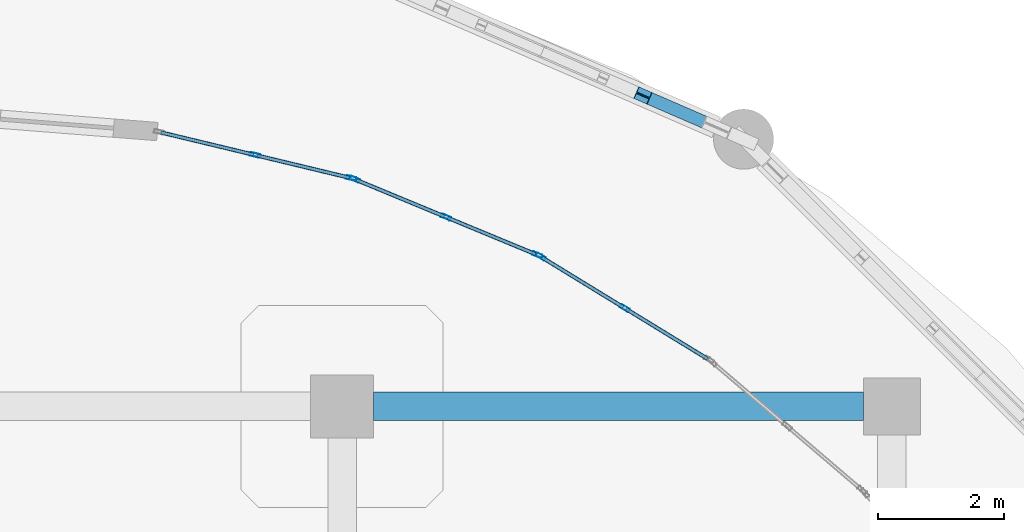
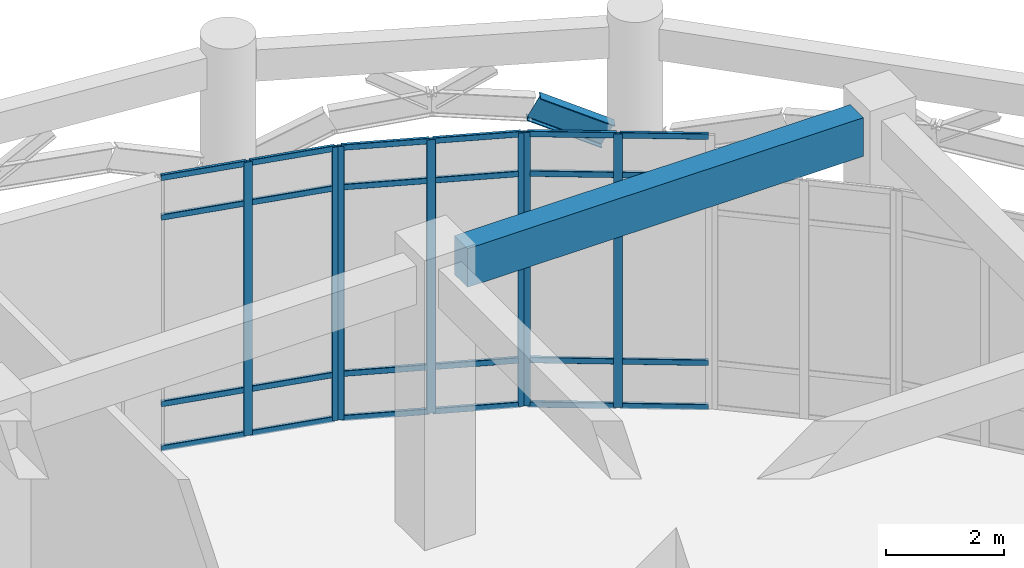
# One storey, part 47 of 82: 31 members, 2 beams, 3 elements without a shape of their own.
"""IFC4 building model written with IfcOpenShell, lengths in metres."""

from ifc_helpers import new_model, si_unit, derived_unit, direction, frame, origin, origin_2d, place, context, subcontext, project, spatial, rectangle, hollow_rectangle, i_section, extrude, material, layer, layer_set, material_profile, profile_set, type_object, element, aggregate, save


model = new_model("IFC4")

# Units and contexts
model_context = context("Model", 3, precision=1e-05, world=origin(), true_north=direction((0.0, 1.0)))
body_context = subcontext(model_context, "Body", "Model", "MODEL_VIEW")
ifc_project = project(units=[si_unit("LENGTHUNIT", "METRE"), si_unit("AREAUNIT", "SQUARE_METRE"), si_unit("VOLUMEUNIT", "CUBIC_METRE"), si_unit("PLANEANGLEUNIT", "RADIAN"), si_unit("MASSUNIT", "GRAM", prefix="KILO"), derived_unit("THERMALTRANSMITTANCEUNIT", [(si_unit("MASSUNIT", "GRAM", prefix="KILO"), 1), (si_unit("TIMEUNIT", "SECOND"), -3), (si_unit("THERMODYNAMICTEMPERATUREUNIT", "KELVIN"), -1)])], contexts=[model_context])

# Site, building, storey
site_placement = place(None, origin())
site = spatial("IfcSite", under=ifc_project, at=site_placement, CompositionType="ELEMENT")
building_placement = place(site_placement, origin())
building = spatial("IfcBuilding", under=site, at=building_placement, Name="Qinzheling Arcade Emporium", CompositionType="ELEMENT")
storey_placement = place(building_placement, origin())
storey = spatial("IfcBuildingStorey", under=building, at=storey_placement, Name="L01", CompositionType="ELEMENT", Elevation=0.0)

# Beam
ifc_material_1 = material(Name="Weathering steel Q355NH", Category="steel")
ifc_material_profile_1 = material_profile(ifc_material_1, i_section(OverallWidth=0.199951171875, OverallDepth=0.5, WebThickness=0.010009765625, FlangeThickness=0.01611328125, FilletRadius=0.01806640625, at=origin_2d()), Name="HN 500x200x10x16", Category="steel")
ifc_profile_set_1 = profile_set([ifc_material_profile_1], Name="Weathering steel Q355NH")
beam_type_1 = type_object("IfcBeamType", Name="Arcade End Arch Rib HN500 Q355NH", PredefinedType="BEAM", material=ifc_profile_set_1)
beam_1_placement = place(storey_placement, frame((136.426025390625, 111.215087890625, 3.402099609375), z_axis=(-0.812072798401, 0.352306289424, 0.465207532752), x_axis=(-0.397995520684, -0.917387358489, 0.0)))
element("IfcBeam", 1, at=beam_1_placement, inside=storey, type_object=beam_type_1, Name="Curved Arcade Entrance Arch ARC-L01-CV6-B04-C02", PredefinedType="BEAM", context=body_context, shape_type="SweptSolid", body=[
    extrude(i_section(OverallWidth=0.199951171875, OverallDepth=0.5, WebThickness=0.010009765625, FlangeThickness=0.01611328125, FilletRadius=0.01806640625, at=origin_2d()), origin(), (0.0, 0.0, 1.0), 1.435791015625),
])

# Curtain wall, members
ifc_material_2 = material(Name="Anodised aluminium and solar-control double glazing", Category="aluminium")
ifc_layer = layer(ifc_material_2, 0.159912109375, Name="Anodised aluminium and solar-control double glazing", Category="aluminium")
ifc_layer_set = layer_set([ifc_layer], Name="Anodised aluminium and solar-control double glazing")
curtain_wall_type = type_object("IfcCurtainWallType", Name="Curved Ribbon Sales Curtain Wall", PredefinedType="NOTDEFINED", material=ifc_layer_set)
curtain_wall_1_placement = place(storey_placement, origin())
curtain_wall_1 = element("IfcCurtainWall", 2, at=curtain_wall_1_placement, inside=storey, type_object=curtain_wall_type, Name="Curtain Wall CW-L01-035", PredefinedType="NOTDEFINED")
ifc_material_3 = material(Name="Anodised aluminium 6063-T6", Category="aluminium")
ifc_material_profile_2 = material_profile(ifc_material_3, hollow_rectangle(XDim=0.06005859375, YDim=0.159912109375, WallThickness=0.00390625, InnerFilletRadius=0.00390625, OuterFilletRadius=0.008056640625, at=origin_2d()), Name="RHS 160x60x4", Category="aluminium")
ifc_profile_set_2 = profile_set([ifc_material_profile_2], Name="Anodised aluminium 6063-T6")
member_type_1 = type_object("IfcMemberType", Name="Curtain Wall Mullion RHS160x60", PredefinedType="MULLION", material=ifc_profile_set_2)
member_1_placement = place(storey_placement, frame((129.12451171875, 110.778076171875, 0.0), z_axis=(0.0, 0.0, 1.0), x_axis=(0.233586687032, 0.972335980843, 0.0)))
member_1 = element("IfcMember", 3, at=member_1_placement, type_object=member_type_1, Name="CW02 mullion 2", PredefinedType="MULLION", context=body_context, shape_type="SweptSolid", body=[
    extrude(hollow_rectangle(XDim=0.06005859375, YDim=0.159912109375, WallThickness=0.00390625, InnerFilletRadius=0.00390625, OuterFilletRadius=0.008056640625, at=origin_2d()), origin(), (0.0, 0.0, 1.0), 5.659912109375),
])
member_2_placement = place(storey_placement, frame((130.643798828125, 110.4130859375, 0.0), z_axis=(0.0, 0.0, 1.0), x_axis=(0.233586687032, 0.972335980843, 0.0)))
member_2 = element("IfcMember", 4, at=member_2_placement, type_object=member_type_1, Name="CW02 mullion 3", PredefinedType="MULLION", context=body_context, shape_type="SweptSolid", body=[
    extrude(hollow_rectangle(XDim=0.06005859375, YDim=0.159912109375, WallThickness=0.00390625, InnerFilletRadius=0.00390625, OuterFilletRadius=0.008056640625, at=origin_2d()), origin(), (0.0, 0.0, 1.0), 5.659912109375),
])

curtain_wall_2_placement = place(storey_placement, origin())
curtain_wall_2 = element("IfcCurtainWall", 5, at=curtain_wall_2_placement, inside=storey, type_object=curtain_wall_type, Name="Curtain Wall CW-L01-036", PredefinedType="NOTDEFINED")
member_3_placement = place(storey_placement, frame((130.70068359375, 110.39453125, 0.0), z_axis=(0.0, 0.0, 1.0), x_axis=(0.382675256043, 0.923882919212, 0.0)))
member_3 = element("IfcMember", 6, at=member_3_placement, type_object=member_type_1, Name="CW02 mullion 1", PredefinedType="MULLION", context=body_context, shape_type="SweptSolid", body=[
    extrude(hollow_rectangle(XDim=0.06005859375, YDim=0.159912109375, WallThickness=0.00390625, InnerFilletRadius=0.00390625, OuterFilletRadius=0.008056640625, at=origin_2d()), origin(), (0.0, 0.0, 1.0), 5.659912109375),
])
member_4_placement = place(storey_placement, frame((132.14453125, 109.79638671875, 0.0), z_axis=(0.0, 0.0, 1.0), x_axis=(0.382675256043, 0.923882919212, 0.0)))
member_4 = element("IfcMember", 7, at=member_4_placement, type_object=member_type_1, Name="CW02 mullion 2", PredefinedType="MULLION", context=body_context, shape_type="SweptSolid", body=[
    extrude(hollow_rectangle(XDim=0.06005859375, YDim=0.159912109375, WallThickness=0.00390625, InnerFilletRadius=0.00390625, OuterFilletRadius=0.008056640625, at=origin_2d()), origin(), (0.0, 0.0, 1.0), 5.659912109375),
])
member_5_placement = place(storey_placement, frame((133.58837890625, 109.198486328125, 0.0), z_axis=(0.0, 0.0, 1.0), x_axis=(0.382675256043, 0.923882919212, 0.0)))
member_5 = element("IfcMember", 8, at=member_5_placement, type_object=member_type_1, Name="CW02 mullion 3", PredefinedType="MULLION", context=body_context, shape_type="SweptSolid", body=[
    extrude(hollow_rectangle(XDim=0.06005859375, YDim=0.159912109375, WallThickness=0.00390625, InnerFilletRadius=0.00390625, OuterFilletRadius=0.008056640625, at=origin_2d()), origin(), (0.0, 0.0, 1.0), 5.659912109375),
])

curtain_wall_3_placement = place(storey_placement, origin())
curtain_wall_3 = element("IfcCurtainWall", 9, at=curtain_wall_3_placement, inside=storey, type_object=curtain_wall_type, Name="Curtain Wall CW-L01-037", PredefinedType="NOTDEFINED")
member_6_placement = place(storey_placement, frame((133.6416015625, 109.17138671875, 0.0), z_axis=(0.0, 0.0, 1.0), x_axis=(0.522414811302, 0.852691482854, 0.0)))
member_6 = element("IfcMember", 10, at=member_6_placement, type_object=member_type_1, Name="CW02 mullion 1", PredefinedType="MULLION", context=body_context, shape_type="SweptSolid", body=[
    extrude(hollow_rectangle(XDim=0.06005859375, YDim=0.159912109375, WallThickness=0.00390625, InnerFilletRadius=0.00390625, OuterFilletRadius=0.008056640625, at=origin_2d()), origin(), (0.0, 0.0, 1.0), 5.659912109375),
])
member_7_placement = place(storey_placement, frame((134.97412109375, 108.35498046875, 0.0), z_axis=(0.0, 0.0, 1.0), x_axis=(0.522414811302, 0.852691482854, 0.0)))
member_7 = element("IfcMember", 11, at=member_7_placement, type_object=member_type_1, Name="CW02 mullion 2", PredefinedType="MULLION", context=body_context, shape_type="SweptSolid", body=[
    extrude(hollow_rectangle(XDim=0.06005859375, YDim=0.159912109375, WallThickness=0.00390625, InnerFilletRadius=0.00390625, OuterFilletRadius=0.008056640625, at=origin_2d()), origin(), (0.0, 0.0, 1.0), 5.659912109375),
])

# Member
ifc_material_profile_3 = material_profile(ifc_material_3, hollow_rectangle(XDim=0.06005859375, YDim=0.1201171875, WallThickness=0.00390625, InnerFilletRadius=0.00390625, OuterFilletRadius=0.008056640625, at=origin_2d()), Name="RHS 120x60x4", Category="aluminium")
ifc_profile_set_3 = profile_set([ifc_material_profile_3], Name="Anodised aluminium 6063-T6")
member_type_2 = type_object("IfcMemberType", Name="Curtain Wall Transom RHS120x60", PredefinedType="USERDEFINED", material=ifc_profile_set_3)
member_8_placement = place(storey_placement, frame((127.63427734375, 111.135986328125, 0.030029296875), z_axis=(0.972319414772, -0.233655634766, 0.0), x_axis=(0.233655634766, 0.972319414772, 0.0)))
member_8 = element("IfcMember", 12, at=member_8_placement, type_object=member_type_2, Name="CW02 transom 1.1", ObjectType="TRANSOM", PredefinedType="USERDEFINED", context=body_context, shape_type="SweptSolid", body=[
    extrude(hollow_rectangle(XDim=0.06005859375, YDim=0.1201171875, WallThickness=0.00390625, InnerFilletRadius=0.00390625, OuterFilletRadius=0.008056640625, at=origin_2d()), origin(), (0.0, 0.0, 1.0), 1.50244140625),
])

member_9_placement = place(storey_placement, frame((127.63427734375, 111.135986328125, 0.949951171875), z_axis=(0.972319414772, -0.233655634766, 0.0), x_axis=(0.233655634766, 0.972319414772, 0.0)))
member_9 = element("IfcMember", 13, at=member_9_placement, type_object=member_type_2, Name="CW02 transom 1.2", ObjectType="TRANSOM", PredefinedType="USERDEFINED", context=body_context, shape_type="SweptSolid", body=[
    extrude(hollow_rectangle(XDim=0.06005859375, YDim=0.1201171875, WallThickness=0.00390625, InnerFilletRadius=0.00390625, OuterFilletRadius=0.008056640625, at=origin_2d()), origin(), (0.0, 0.0, 1.0), 1.50244140625),
])

member_10_placement = place(storey_placement, frame((127.63427734375, 111.135986328125, 4.81005859375), z_axis=(0.972319414772, -0.233655634766, 0.0), x_axis=(0.233655634766, 0.972319414772, 0.0)))
member_10 = element("IfcMember", 14, at=member_10_placement, type_object=member_type_2, Name="CW02 transom 1.3", ObjectType="TRANSOM", PredefinedType="USERDEFINED", context=body_context, shape_type="SweptSolid", body=[
    extrude(hollow_rectangle(XDim=0.06005859375, YDim=0.1201171875, WallThickness=0.00390625, InnerFilletRadius=0.00390625, OuterFilletRadius=0.008056640625, at=origin_2d()), origin(), (0.0, 0.0, 1.0), 1.50244140625),
])

member_11_placement = place(storey_placement, frame((127.63427734375, 111.135986328125, 5.6298828125), z_axis=(0.972319414772, -0.233655634766, 0.0), x_axis=(0.233655634766, 0.972319414772, 0.0)))
member_11 = element("IfcMember", 15, at=member_11_placement, type_object=member_type_2, Name="CW02 transom 1.4", ObjectType="TRANSOM", PredefinedType="USERDEFINED", context=body_context, shape_type="SweptSolid", body=[
    extrude(hollow_rectangle(XDim=0.06005859375, YDim=0.1201171875, WallThickness=0.00390625, InnerFilletRadius=0.00390625, OuterFilletRadius=0.008056640625, at=origin_2d()), origin(), (0.0, 0.0, 1.0), 1.50244140625),
])

member_12_placement = place(storey_placement, frame((129.153564453125, 110.77099609375, 0.030029296875), z_axis=(0.972328283615, -0.233618725453, 0.0), x_axis=(0.233618725453, 0.972328283615, 0.0)))
member_12 = element("IfcMember", 16, at=member_12_placement, type_object=member_type_2, Name="CW02 transom 2.1", ObjectType="TRANSOM", PredefinedType="USERDEFINED", context=body_context, shape_type="SweptSolid", body=[
    extrude(hollow_rectangle(XDim=0.06005859375, YDim=0.1201171875, WallThickness=0.00390625, InnerFilletRadius=0.00390625, OuterFilletRadius=0.008056640625, at=origin_2d()), origin(), (0.0, 0.0, 1.0), 1.502685546875),
])

member_13_placement = place(storey_placement, frame((129.153564453125, 110.77099609375, 0.949951171875), z_axis=(0.972328283615, -0.233618725453, 0.0), x_axis=(0.233618725453, 0.972328283615, 0.0)))
member_13 = element("IfcMember", 17, at=member_13_placement, type_object=member_type_2, Name="CW02 transom 2.2", ObjectType="TRANSOM", PredefinedType="USERDEFINED", context=body_context, shape_type="SweptSolid", body=[
    extrude(hollow_rectangle(XDim=0.06005859375, YDim=0.1201171875, WallThickness=0.00390625, InnerFilletRadius=0.00390625, OuterFilletRadius=0.008056640625, at=origin_2d()), origin(), (0.0, 0.0, 1.0), 1.502685546875),
])

member_14_placement = place(storey_placement, frame((129.153564453125, 110.77099609375, 4.81005859375), z_axis=(0.972328283615, -0.233618725453, 0.0), x_axis=(0.233618725453, 0.972328283615, 0.0)))
member_14 = element("IfcMember", 18, at=member_14_placement, type_object=member_type_2, Name="CW02 transom 2.3", ObjectType="TRANSOM", PredefinedType="USERDEFINED", context=body_context, shape_type="SweptSolid", body=[
    extrude(hollow_rectangle(XDim=0.06005859375, YDim=0.1201171875, WallThickness=0.00390625, InnerFilletRadius=0.00390625, OuterFilletRadius=0.008056640625, at=origin_2d()), origin(), (0.0, 0.0, 1.0), 1.502685546875),
])

member_15_placement = place(storey_placement, frame((129.153564453125, 110.77099609375, 5.6298828125), z_axis=(0.972328283615, -0.233618725453, 0.0), x_axis=(0.233618725453, 0.972328283615, 0.0)))
member_15 = element("IfcMember", 19, at=member_15_placement, type_object=member_type_2, Name="CW02 transom 2.4", ObjectType="TRANSOM", PredefinedType="USERDEFINED", context=body_context, shape_type="SweptSolid", body=[
    extrude(hollow_rectangle(XDim=0.06005859375, YDim=0.1201171875, WallThickness=0.00390625, InnerFilletRadius=0.00390625, OuterFilletRadius=0.008056640625, at=origin_2d()), origin(), (0.0, 0.0, 1.0), 1.502685546875),
])

aggregate(curtain_wall_1, [member_1, member_2, member_8, member_9, member_10, member_11, member_12, member_13, member_14, member_15])

member_16_placement = place(storey_placement, frame((130.728515625, 110.383056640625, 0.030029296875), z_axis=(0.923834623312, -0.382791834774, 0.0), x_axis=(0.382791834774, 0.923834623312, 0.0)))
member_16 = element("IfcMember", 20, at=member_16_placement, type_object=member_type_2, Name="CW02 transom 1.1", ObjectType="TRANSOM", PredefinedType="USERDEFINED", context=body_context, shape_type="SweptSolid", body=[
    extrude(hollow_rectangle(XDim=0.06005859375, YDim=0.1201171875, WallThickness=0.00390625, InnerFilletRadius=0.00390625, OuterFilletRadius=0.008056640625, at=origin_2d()), origin(), (0.0, 0.0, 1.0), 1.502685546875),
])

member_17_placement = place(storey_placement, frame((130.728515625, 110.383056640625, 0.949951171875), z_axis=(0.923834623312, -0.382791834774, 0.0), x_axis=(0.382791834774, 0.923834623312, 0.0)))
member_17 = element("IfcMember", 21, at=member_17_placement, type_object=member_type_2, Name="CW02 transom 1.2", ObjectType="TRANSOM", PredefinedType="USERDEFINED", context=body_context, shape_type="SweptSolid", body=[
    extrude(hollow_rectangle(XDim=0.06005859375, YDim=0.1201171875, WallThickness=0.00390625, InnerFilletRadius=0.00390625, OuterFilletRadius=0.008056640625, at=origin_2d()), origin(), (0.0, 0.0, 1.0), 1.502685546875),
])

member_18_placement = place(storey_placement, frame((130.728515625, 110.383056640625, 4.81005859375), z_axis=(0.923834623312, -0.382791834774, 0.0), x_axis=(0.382791834774, 0.923834623312, 0.0)))
member_18 = element("IfcMember", 22, at=member_18_placement, type_object=member_type_2, Name="CW02 transom 1.3", ObjectType="TRANSOM", PredefinedType="USERDEFINED", context=body_context, shape_type="SweptSolid", body=[
    extrude(hollow_rectangle(XDim=0.06005859375, YDim=0.1201171875, WallThickness=0.00390625, InnerFilletRadius=0.00390625, OuterFilletRadius=0.008056640625, at=origin_2d()), origin(), (0.0, 0.0, 1.0), 1.502685546875),
])

member_19_placement = place(storey_placement, frame((130.728515625, 110.383056640625, 5.6298828125), z_axis=(0.923834623312, -0.382791834774, 0.0), x_axis=(0.382791834774, 0.923834623312, 0.0)))
member_19 = element("IfcMember", 23, at=member_19_placement, type_object=member_type_2, Name="CW02 transom 1.4", ObjectType="TRANSOM", PredefinedType="USERDEFINED", context=body_context, shape_type="SweptSolid", body=[
    extrude(hollow_rectangle(XDim=0.06005859375, YDim=0.1201171875, WallThickness=0.00390625, InnerFilletRadius=0.00390625, OuterFilletRadius=0.008056640625, at=origin_2d()), origin(), (0.0, 0.0, 1.0), 1.502685546875),
])

member_20_placement = place(storey_placement, frame((132.172119140625, 109.784912109375, 0.030029296875), z_axis=(0.92391585997, -0.382595718345, 0.0), x_axis=(0.382595718345, 0.92391585997, 0.0)))
member_20 = element("IfcMember", 24, at=member_20_placement, type_object=member_type_2, Name="CW02 transom 2.1", ObjectType="TRANSOM", PredefinedType="USERDEFINED", context=body_context, shape_type="SweptSolid", body=[
    extrude(hollow_rectangle(XDim=0.06005859375, YDim=0.1201171875, WallThickness=0.00390625, InnerFilletRadius=0.00390625, OuterFilletRadius=0.008056640625, at=origin_2d()), origin(), (0.0, 0.0, 1.0), 1.502685546875),
])

member_21_placement = place(storey_placement, frame((132.172119140625, 109.784912109375, 0.949951171875), z_axis=(0.92391585997, -0.382595718345, 0.0), x_axis=(0.382595718345, 0.92391585997, 0.0)))
member_21 = element("IfcMember", 25, at=member_21_placement, type_object=member_type_2, Name="CW02 transom 2.2", ObjectType="TRANSOM", PredefinedType="USERDEFINED", context=body_context, shape_type="SweptSolid", body=[
    extrude(hollow_rectangle(XDim=0.06005859375, YDim=0.1201171875, WallThickness=0.00390625, InnerFilletRadius=0.00390625, OuterFilletRadius=0.008056640625, at=origin_2d()), origin(), (0.0, 0.0, 1.0), 1.502685546875),
])

member_22_placement = place(storey_placement, frame((132.172119140625, 109.784912109375, 4.81005859375), z_axis=(0.92391585997, -0.382595718345, 0.0), x_axis=(0.382595718345, 0.92391585997, 0.0)))
member_22 = element("IfcMember", 26, at=member_22_placement, type_object=member_type_2, Name="CW02 transom 2.3", ObjectType="TRANSOM", PredefinedType="USERDEFINED", context=body_context, shape_type="SweptSolid", body=[
    extrude(hollow_rectangle(XDim=0.06005859375, YDim=0.1201171875, WallThickness=0.00390625, InnerFilletRadius=0.00390625, OuterFilletRadius=0.008056640625, at=origin_2d()), origin(), (0.0, 0.0, 1.0), 1.502685546875),
])

member_23_placement = place(storey_placement, frame((132.172119140625, 109.784912109375, 5.6298828125), z_axis=(0.92391585997, -0.382595718345, 0.0), x_axis=(0.382595718345, 0.92391585997, 0.0)))
member_23 = element("IfcMember", 27, at=member_23_placement, type_object=member_type_2, Name="CW02 transom 2.4", ObjectType="TRANSOM", PredefinedType="USERDEFINED", context=body_context, shape_type="SweptSolid", body=[
    extrude(hollow_rectangle(XDim=0.06005859375, YDim=0.1201171875, WallThickness=0.00390625, InnerFilletRadius=0.00390625, OuterFilletRadius=0.008056640625, at=origin_2d()), origin(), (0.0, 0.0, 1.0), 1.502685546875),
])

aggregate(curtain_wall_2, [member_3, member_4, member_5, member_16, member_17, member_18, member_19, member_20, member_21, member_22, member_23])

member_24_placement = place(storey_placement, frame((133.667236328125, 109.15576171875, 0.030029296875), z_axis=(0.852638610785, -0.522501099902, 0.0), x_axis=(0.522501099902, 0.852638610785, 0.0)))
member_24 = element("IfcMember", 28, at=member_24_placement, type_object=member_type_2, Name="CW02 transom 1.1", ObjectType="TRANSOM", PredefinedType="USERDEFINED", context=body_context, shape_type="SweptSolid", body=[
    extrude(hollow_rectangle(XDim=0.06005859375, YDim=0.1201171875, WallThickness=0.00390625, InnerFilletRadius=0.00390625, OuterFilletRadius=0.008056640625, at=origin_2d()), origin(), (0.0, 0.0, 1.0), 1.502685546875),
])

member_25_placement = place(storey_placement, frame((133.667236328125, 109.15576171875, 0.949951171875), z_axis=(0.852638610785, -0.522501099902, 0.0), x_axis=(0.522501099902, 0.852638610785, 0.0)))
member_25 = element("IfcMember", 29, at=member_25_placement, type_object=member_type_2, Name="CW02 transom 1.2", ObjectType="TRANSOM", PredefinedType="USERDEFINED", context=body_context, shape_type="SweptSolid", body=[
    extrude(hollow_rectangle(XDim=0.06005859375, YDim=0.1201171875, WallThickness=0.00390625, InnerFilletRadius=0.00390625, OuterFilletRadius=0.008056640625, at=origin_2d()), origin(), (0.0, 0.0, 1.0), 1.502685546875),
])

member_26_placement = place(storey_placement, frame((133.667236328125, 109.15576171875, 4.81005859375), z_axis=(0.852638610785, -0.522501099902, 0.0), x_axis=(0.522501099902, 0.852638610785, 0.0)))
member_26 = element("IfcMember", 30, at=member_26_placement, type_object=member_type_2, Name="CW02 transom 1.3", ObjectType="TRANSOM", PredefinedType="USERDEFINED", context=body_context, shape_type="SweptSolid", body=[
    extrude(hollow_rectangle(XDim=0.06005859375, YDim=0.1201171875, WallThickness=0.00390625, InnerFilletRadius=0.00390625, OuterFilletRadius=0.008056640625, at=origin_2d()), origin(), (0.0, 0.0, 1.0), 1.502685546875),
])

member_27_placement = place(storey_placement, frame((133.667236328125, 109.15576171875, 5.6298828125), z_axis=(0.852638610785, -0.522501099902, 0.0), x_axis=(0.522501099902, 0.852638610785, 0.0)))
member_27 = element("IfcMember", 31, at=member_27_placement, type_object=member_type_2, Name="CW02 transom 1.4", ObjectType="TRANSOM", PredefinedType="USERDEFINED", context=body_context, shape_type="SweptSolid", body=[
    extrude(hollow_rectangle(XDim=0.06005859375, YDim=0.1201171875, WallThickness=0.00390625, InnerFilletRadius=0.00390625, OuterFilletRadius=0.008056640625, at=origin_2d()), origin(), (0.0, 0.0, 1.0), 1.502685546875),
])

member_28_placement = place(storey_placement, frame((134.99951171875, 108.33935546875, 0.030029296875), z_axis=(0.852710989546, -0.52238297092, 0.0), x_axis=(0.52238297092, 0.852710989546, 0.0)))
member_28 = element("IfcMember", 32, at=member_28_placement, type_object=member_type_2, Name="CW02 transom 2.1", ObjectType="TRANSOM", PredefinedType="USERDEFINED", context=body_context, shape_type="SweptSolid", body=[
    extrude(hollow_rectangle(XDim=0.06005859375, YDim=0.1201171875, WallThickness=0.00390625, InnerFilletRadius=0.00390625, OuterFilletRadius=0.008056640625, at=origin_2d()), origin(), (0.0, 0.0, 1.0), 1.50244140625),
])

member_29_placement = place(storey_placement, frame((134.99951171875, 108.33935546875, 0.949951171875), z_axis=(0.852710989546, -0.52238297092, 0.0), x_axis=(0.52238297092, 0.852710989546, 0.0)))
member_29 = element("IfcMember", 33, at=member_29_placement, type_object=member_type_2, Name="CW02 transom 2.2", ObjectType="TRANSOM", PredefinedType="USERDEFINED", context=body_context, shape_type="SweptSolid", body=[
    extrude(hollow_rectangle(XDim=0.06005859375, YDim=0.1201171875, WallThickness=0.00390625, InnerFilletRadius=0.00390625, OuterFilletRadius=0.008056640625, at=origin_2d()), origin(), (0.0, 0.0, 1.0), 1.50244140625),
])

member_30_placement = place(storey_placement, frame((134.99951171875, 108.33935546875, 4.81005859375), z_axis=(0.852710989546, -0.52238297092, 0.0), x_axis=(0.52238297092, 0.852710989546, 0.0)))
member_30 = element("IfcMember", 34, at=member_30_placement, type_object=member_type_2, Name="CW02 transom 2.3", ObjectType="TRANSOM", PredefinedType="USERDEFINED", context=body_context, shape_type="SweptSolid", body=[
    extrude(hollow_rectangle(XDim=0.06005859375, YDim=0.1201171875, WallThickness=0.00390625, InnerFilletRadius=0.00390625, OuterFilletRadius=0.008056640625, at=origin_2d()), origin(), (0.0, 0.0, 1.0), 1.50244140625),
])

member_31_placement = place(storey_placement, frame((134.99951171875, 108.33935546875, 5.6298828125), z_axis=(0.852710989546, -0.52238297092, 0.0), x_axis=(0.52238297092, 0.852710989546, 0.0)))
member_31 = element("IfcMember", 35, at=member_31_placement, type_object=member_type_2, Name="CW02 transom 2.4", ObjectType="TRANSOM", PredefinedType="USERDEFINED", context=body_context, shape_type="SweptSolid", body=[
    extrude(hollow_rectangle(XDim=0.06005859375, YDim=0.1201171875, WallThickness=0.00390625, InnerFilletRadius=0.00390625, OuterFilletRadius=0.008056640625, at=origin_2d()), origin(), (0.0, 0.0, 1.0), 1.50244140625),
])

aggregate(curtain_wall_3, [member_6, member_7, member_24, member_25, member_26, member_27, member_28, member_29, member_30, member_31])

# Beam
ifc_material_4 = material(Name="Concrete C40", Category="concrete")
ifc_material_profile_4 = material_profile(ifc_material_4, rectangle(XDim=0.449951171875, YDim=0.800048828125, at=origin_2d()), Name="RC 450x800", Category="concrete")
ifc_profile_set_4 = profile_set([ifc_material_profile_4], Name="Concrete C40")
beam_type_2 = type_object("IfcBeamType", Name="RC Primary Frame Beam 450x800 C40", PredefinedType="BEAM", material=ifc_profile_set_4)
beam_2_placement = place(storey_placement, frame((131.0, 106.800048828125, 5.3349609375), z_axis=(1.0, 0.0, 0.0), x_axis=(0.0, 1.0, 0.0)))
element("IfcBeam", 36, at=beam_2_placement, inside=storey, type_object=beam_type_2, Name="Beam BM-L01-X-N-16", PredefinedType="BEAM", context=body_context, shape_type="SweptSolid", body=[
    extrude(rectangle(XDim=0.449951171875, YDim=0.800048828125, at=origin_2d()), origin(), (0.0, 0.0, 1.0), 7.75),
])

save(model, "model.ifc")
